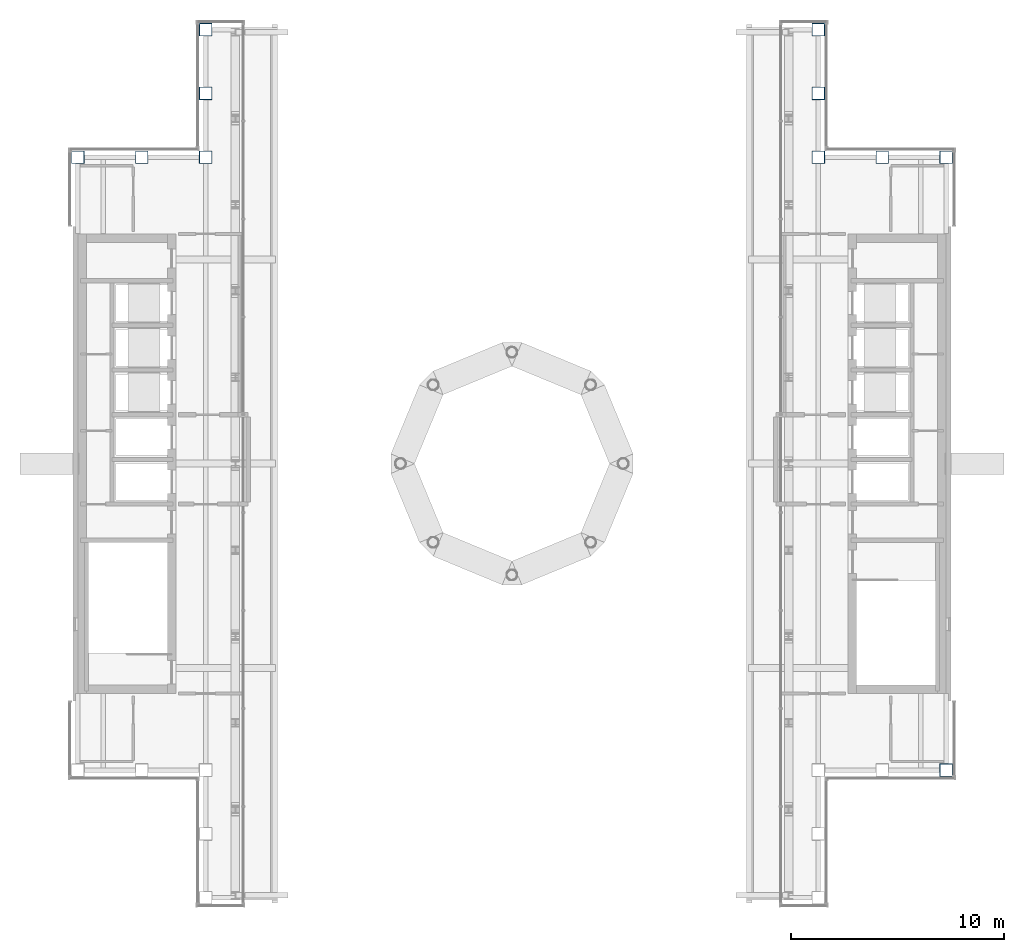
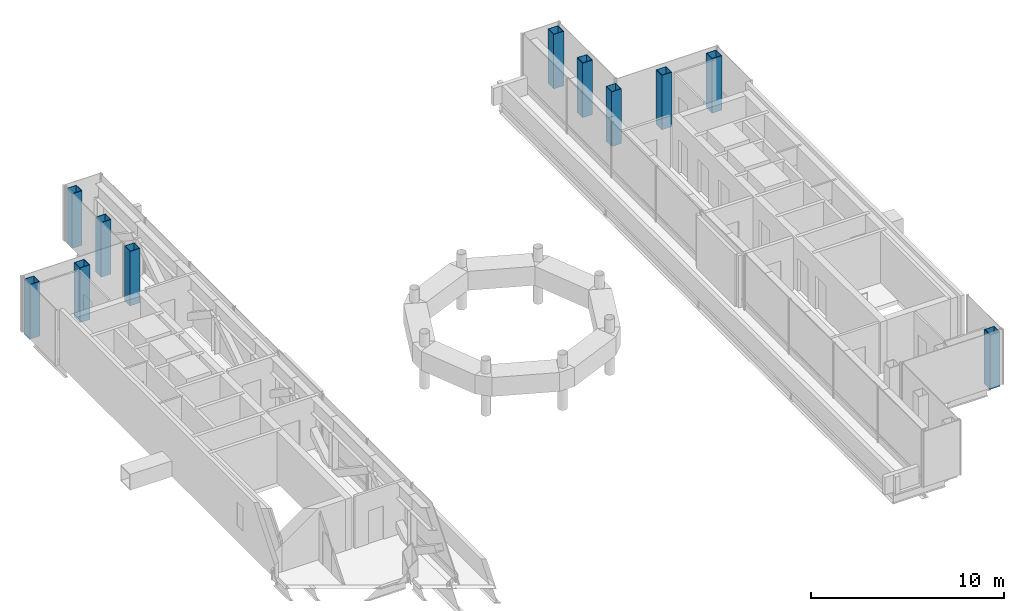
# One storey, part 2 of 16: 11 columns.
"""IFC4 building model written with IfcOpenShell, lengths in metres."""

import ifcopenshell
import ifcopenshell.guid

model = None  # the IFC model being written
_history = None  # IfcOwnerHistory: only IFC2X3 demands one
_inside = {}  # id of a spatial element -> (the spatial element, [elements in it])
_under = {}  # id of a project, library or spatial element -> (it, [spatial elements below it])
_declared = {}  # id of a project -> (the project, [libraries it declares])
_typed = {}  # id of a type object -> (the type object, [elements of that type])
_made_of = {}  # id of a material, layer set ... -> (it, [elements and type objects made of it])


def new_model(schema):
    """Start an empty IFC model of exactly this schema.

    Asked for "IFC4X3", IfcOpenShell would pick the latest addendum, in which some entities
    have other attributes; the version numbers below select the first issue.
    IFC2X3 requires an IfcOwnerHistory on every rooted entity: one is made here for all.
    """
    global model, _history
    if schema == "IFC4X3":
        model = ifcopenshell.file(schema_version=(4, 3, 0, 0))
    else:
        model = ifcopenshell.file(schema=schema)
    _inside.clear()
    _under.clear()
    _declared.clear()
    _typed.clear()
    _made_of.clear()
    _history = None
    if model.schema == "IFC2X3":
        org = make("IfcOrganization", Name="unknown")
        user = make(
            "IfcPersonAndOrganization",
            ThePerson=make("IfcPerson", FamilyName="unknown"),
            TheOrganization=org,
        )
        app = make(
            "IfcApplication",
            ApplicationDeveloper=org,
            Version="unknown",
            ApplicationFullName="unknown",
            ApplicationIdentifier="unknown",
        )
        _history = make(
            "IfcOwnerHistory",
            OwningUser=user,
            OwningApplication=app,
            ChangeAction="ADDED",
            CreationDate=0,
        )
    return model


def make(cls, **values):
    """One entity of the class cls with the attributes given. An attribute that is None is left unset."""
    return model.create_entity(
        cls, **{name: value for name, value in values.items() if value is not None}
    )


def rooted(cls, **values):
    """An entity with a GlobalId (a new one), such as an element, a storey or a relation."""
    return make(cls, GlobalId=ifcopenshell.guid.new(), OwnerHistory=_history, **values)


def si_unit(unit_type, name, prefix=None):
    """IfcSIUnit, for example si_unit("LENGTHUNIT", "METRE", prefix="MILLI")."""
    return make("IfcSIUnit", UnitType=unit_type, Prefix=prefix, Name=name)


def assignment(units):
    """IfcUnitAssignment: the units of a project."""
    return None if units is None else make("IfcUnitAssignment", Units=units)


def point(xyz):
    """IfcCartesianPoint."""
    return None if xyz is None else make("IfcCartesianPoint", Coordinates=xyz)


def direction(xyz):
    """IfcDirection."""
    return None if xyz is None else make("IfcDirection", DirectionRatios=xyz)


def frame(location, z_axis=None, x_axis=None):
    """IfcAxis2Placement3D, a coordinate frame: its origin and axes. An axis left out is left unset."""
    return make(
        "IfcAxis2Placement3D",
        Location=point(location),
        Axis=direction(z_axis),
        RefDirection=direction(x_axis),
    )


def frame_2d(location, x_axis=None):
    """IfcAxis2Placement2D, a coordinate frame in the plane: its origin and x axis."""
    return make(
        "IfcAxis2Placement2D", Location=point(location), RefDirection=direction(x_axis)
    )


def origin():
    """The frame at (0, 0, 0) with its axes left unset."""
    return frame((0.0, 0.0, 0.0))


def origin_2d():
    """The frame at (0, 0) in the plane with its x axis left unset."""
    return frame_2d((0.0, 0.0))


def place(relative_to, where):
    """IfcLocalPlacement: puts the frame where relative to a parent placement (None: the world)."""
    return make(
        "IfcLocalPlacement", PlacementRelTo=relative_to, RelativePlacement=where
    )


def context(
    kind, dimensions, precision=None, world=None, true_north=None, identifier=None
):
    """IfcGeometricRepresentationContext, for example the 3D "Model" context."""
    return make(
        "IfcGeometricRepresentationContext",
        ContextIdentifier=identifier,
        ContextType=kind,
        CoordinateSpaceDimension=dimensions,
        Precision=precision,
        WorldCoordinateSystem=world,
        TrueNorth=true_north,
    )


def subcontext(parent, identifier, kind, view, scale=None):
    """IfcGeometricRepresentationSubContext, for example "Body" below "Model"."""
    return make(
        "IfcGeometricRepresentationSubContext",
        ContextIdentifier=identifier,
        ContextType=kind,
        ParentContext=parent,
        TargetScale=scale,
        TargetView=view,
    )


def project(units=None, contexts=None):
    """IfcProject with its units and contexts."""
    return rooted(
        "IfcProject",
        Name="project",
        RepresentationContexts=contexts,
        UnitsInContext=assignment(units),
    )


def spatial(cls, under=None, at=None, **own):
    """A site, building, storey or space (cls), placed at a placement, below another one or the project."""
    s = rooted(cls, ObjectPlacement=at, **own)
    if under is not None:
        _under.setdefault(under.id(), (under, []))[1].append(s)
    return s


def profile(cls, at=None, kind="AREA", **sizes):
    """A parametric profile (cls). Its sizes go by their IFC names, for example OverallWidth=200.0."""
    return make(cls, ProfileType=kind, Position=at, **sizes)


def hollow_rectangle(**sizes):
    """IfcRectangleHollowProfileDef."""
    return profile("IfcRectangleHollowProfileDef", **sizes)


def extrude(swept, where, along, depth):
    """IfcExtrudedAreaSolid: the profile swept, set in the frame where, extruded along a direction by depth."""
    return make(
        "IfcExtrudedAreaSolid",
        SweptArea=swept,
        Position=where,
        ExtrudedDirection=direction(along),
        Depth=depth,
    )


def shape(context_of_items, identifier, shape_type, items):
    """IfcShapeRepresentation: the items that make up one representation, for example the "Body"."""
    return make(
        "IfcShapeRepresentation",
        ContextOfItems=context_of_items,
        RepresentationIdentifier=identifier,
        RepresentationType=shape_type,
        Items=items,
    )


def material(Name=None, Category=None):
    """IfcMaterial."""
    return make("IfcMaterial", Name=Name, Category=Category)


def material_profile(
    of_material, cross_section, Name=None, Category=None, Priority=None
):
    """IfcMaterialProfile: a cross section and its material."""
    return make(
        "IfcMaterialProfile",
        Name=Name,
        Material=of_material,
        Profile=cross_section,
        Priority=Priority,
        Category=Category,
    )


def profile_set(profiles, Name=None, composite=None):
    """IfcMaterialProfileSet."""
    return make(
        "IfcMaterialProfileSet",
        Name=Name,
        MaterialProfiles=profiles,
        CompositeProfile=composite,
    )


def made_of(thing, what):
    """Note that an element or type object is made of a material, layer set ...; save() writes the relation."""
    if what is not None:
        _made_of.setdefault(what.id(), (what, []))[1].append(thing)
    return thing


def type_object(cls, material=None, **own):
    """A type object (cls), such as IfcWallType, which elements share."""
    return made_of(rooted(cls, **own), material)


def element(
    cls,
    number,
    at=None,
    inside=None,
    cuts=None,
    type_object=None,
    material=None,
    context=None,
    identifier="Body",
    shape_type=None,
    held_by="IfcProductDefinitionShape",
    body=None,
    shapes=None,
    **own,
):
    """One element of the class cls, such as IfcWall. Its Tag is "e" and its number.

    at: its placement. inside: the storey or other place that contains it. cuts: it is an
    opening in that element (IfcRelVoidsElement). A single representation is given by context,
    identifier, shape_type and body (its items); several are given by shapes. held_by: the class
    of the entity that holds the representations. save() writes the other relations.
    """
    e = rooted(cls, Tag="e%d" % number, ObjectPlacement=at, **own)
    if body is not None:
        shapes = [shape(context, identifier, shape_type, body)]
    if shapes is not None:
        e.Representation = make(held_by, Representations=shapes)
    if inside is not None:
        _inside.setdefault(inside.id(), (inside, []))[1].append(e)
    if cuts is not None:
        rooted(
            "IfcRelVoidsElement", RelatingBuildingElement=cuts, RelatedOpeningElement=e
        )
    if type_object is not None:
        _typed.setdefault(type_object.id(), (type_object, []))[1].append(e)
    return made_of(e, material)


def aggregate(whole, parts):
    """IfcRelAggregates: a whole, such as a stair, and the parts it consists of."""
    return rooted("IfcRelAggregates", RelatingObject=whole, RelatedObjects=parts)


def save(model, path):
    """Write the relations noted so far, then the file.

    IfcRelAggregates (storeys below a building ...), IfcRelContainedInSpatialStructure (elements
    in a storey), IfcRelDefinesByType, IfcRelAssociatesMaterial and IfcRelDeclares: one each for
    every whole, place, type object, material and project.
    """
    for whole, parts in _under.values():
        aggregate(whole, parts)
    for where, things in _inside.values():
        rooted(
            "IfcRelContainedInSpatialStructure",
            RelatedElements=things,
            RelatingStructure=where,
        )
    for kind, things in _typed.values():
        rooted("IfcRelDefinesByType", RelatedObjects=things, RelatingType=kind)
    for what, things in _made_of.values():
        rooted("IfcRelAssociatesMaterial", RelatedObjects=things, RelatingMaterial=what)
    for by, libraries in _declared.values():
        rooted("IfcRelDeclares", RelatingContext=by, RelatedDefinitions=libraries)
    model.write(path)


model = new_model("IFC4")

# Units and contexts
model_context = context("Model", 3, precision=1e-05, world=origin(), true_north=direction((0.0, 1.0)))
body_context = subcontext(model_context, "Body", "Model", "MODEL_VIEW")
ifc_project = project(units=[si_unit("LENGTHUNIT", "METRE"), si_unit("AREAUNIT", "SQUARE_METRE"), si_unit("VOLUMEUNIT", "CUBIC_METRE"), si_unit("PLANEANGLEUNIT", "RADIAN"), si_unit("MASSUNIT", "GRAM", prefix="KILO")], contexts=[model_context])

# Site, building, storey
site_placement = place(None, origin())
site = spatial("IfcSite", under=ifc_project, at=site_placement, CompositionType="ELEMENT")
building_placement = place(site_placement, origin())
building = spatial("IfcBuilding", under=site, at=building_placement, Name="Cobrizo Arcos Hotel Tower", CompositionType="ELEMENT")
storey_placement = place(building_placement, frame((0.0, 0.0, 286.5)))
storey = spatial("IfcBuildingStorey", under=building, at=storey_placement, Name="L76", CompositionType="ELEMENT", Elevation=286.5)

# Columns
ifc_material = material(Name="Steel ASTM A572 Grade 50", Category="steel")
ifc_material_profile = material_profile(ifc_material, hollow_rectangle(XDim=0.60009765625, YDim=0.60009765625, WallThickness=0.030029296875, at=origin_2d()), Name="BOX 600X600X30")
ifc_profile_set = profile_set([ifc_material_profile], Name="Steel ASTM A572 Grade 50")
column_type = type_object("IfcColumnType", Name="BOX 600X600X30 column", PredefinedType="COLUMN", material=ifc_profile_set)
for number, where, z_axis, x_axis, name in (
    (1, (-14.39990234375, 20.39990234375, -0.14990234375), (0.0, 0.0, 1.0), (1.0, 0.0, 0.0), "Perimeter column C12, L76, no. 00"),
    (2, (14.39990234375, 20.39990234375, -0.14990234375), (0.0, 0.0, 1.0), (1.0, 0.0, 0.0), "Perimeter column C12, L76, no. 02"),
    (3, (20.39990234375, -14.39990234375, -0.14990234375), (0.0, 0.0, 1.0), (1.0, 0.0, 0.0), "Perimeter column C12, L76, no. 04"),
    (4, (20.39990234375, 14.39990234375, -0.14990234375), (0.0, 0.0, 1.0), (1.0, 0.0, 0.0), "Perimeter column C12, L76, no. 06"),
    (5, (-20.39990234375, 14.39990234375, -0.14990234375), (0.0, 0.0, 1.0), (1.0, 0.0, 0.0), "Perimeter column C12, L76, no. 07"),
    (6, (-14.39990234375, 14.39990234375, -0.14990234375), (0.0, 0.0, 1.0), (1.0, 0.0, 0.0), "Perimeter column C12, L76, no. 11"),
    (7, (-14.39990234375, 17.39990234375, -0.14990234375), (0.0, 0.0, 1.0), (1.0, 0.0, 0.0), "Perimeter column C12, L76, no. 12"),
    (8, (-17.39990234375, 14.39990234375, -0.14990234375), (0.0, 0.0, 1.0), (1.0, 0.0, 0.0), "Perimeter column C12, L76, no. 13"),
    (9, (14.39990234375, 14.39990234375, -0.14990234375), (0.0, 0.0, 1.0), (1.0, 0.0, 0.0), "Perimeter column C12, L76, no. 17"),
    (10, (14.39990234375, 17.39990234375, -0.14990234375), (0.0, 0.0, 1.0), (1.0, 0.0, 0.0), "Perimeter column C12, L76, no. 18"),
    (11, (17.39990234375, 14.39990234375, -0.14990234375), (0.0, 0.0, 1.0), (1.0, 0.0, 0.0), "Perimeter column C12, L76, no. 19"),
):
    element("IfcColumn", number, at=place(storey_placement, frame(where, z_axis=z_axis, x_axis=x_axis)), inside=storey, type_object=column_type, Name=name, PredefinedType="COLUMN", context=body_context, shape_type="SweptSolid", body=[
        extrude(hollow_rectangle(XDim=0.60009765625, YDim=0.60009765625, WallThickness=0.030029296875, at=origin_2d()), origin(), (0.0, 0.0, 1.0), 3.449951171875),
    ])

save(model, "model.ifc")
